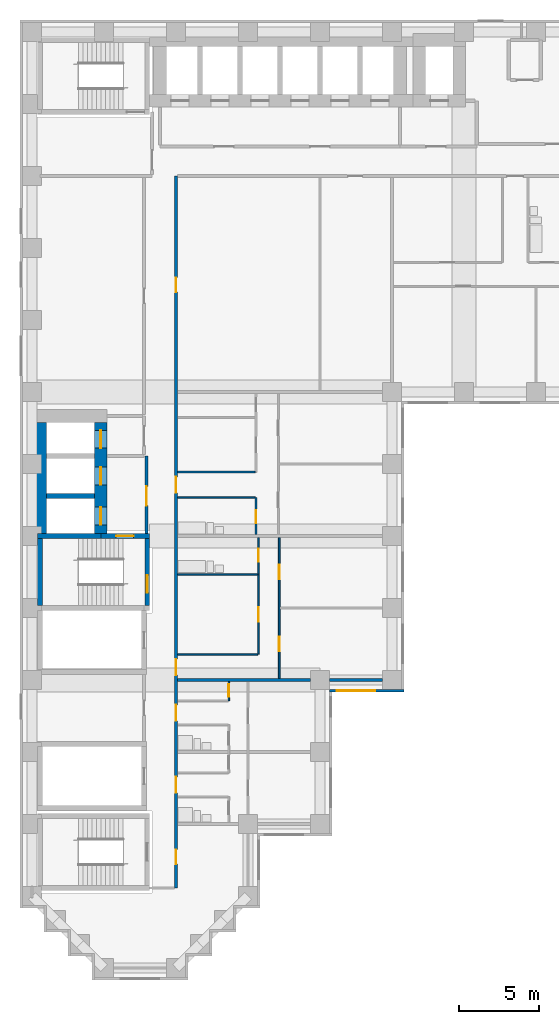
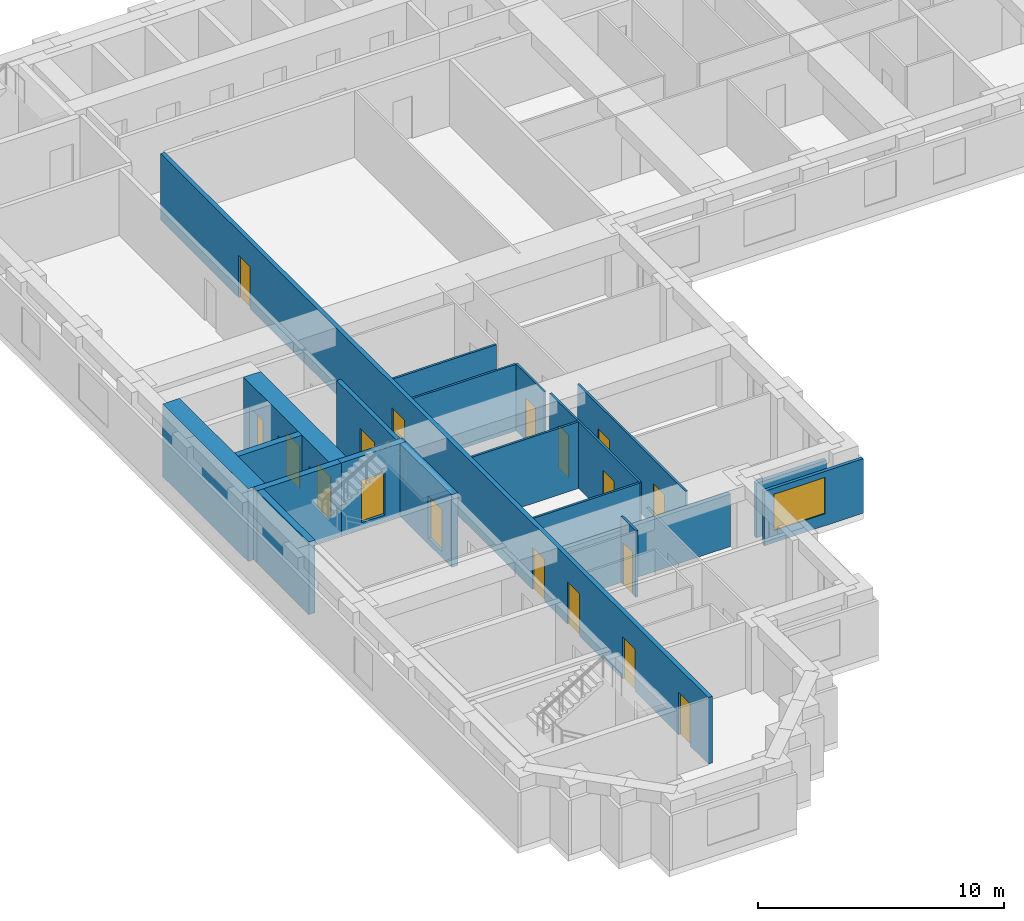
# One storey, part 5 of 14: 20 walls, 18 doors, 1 window, 19 openings.
"""IFC4 building model written with IfcOpenShell, lengths in metres."""

from ifc_helpers import new_model, si_unit, direction, frame, frame_2d, origin, place, context, subcontext, project, spatial, rectangle, extrude, material, layer, layer_set, type_object, element, fill, save


model = new_model("IFC4")

# Units and contexts
model_context = context("Model", 3, precision=1e-05, world=origin(), true_north=direction((0.0, 1.0)))
body_context = subcontext(model_context, "Body", "Model", "MODEL_VIEW")
ifc_project = project(units=[si_unit("LENGTHUNIT", "METRE"), si_unit("AREAUNIT", "SQUARE_METRE"), si_unit("VOLUMEUNIT", "CUBIC_METRE"), si_unit("PLANEANGLEUNIT", "RADIAN"), si_unit("MASSUNIT", "GRAM", prefix="KILO")], contexts=[model_context])

# Site, building, storey
site_placement = place(None, origin())
site = spatial("IfcSite", under=ifc_project, at=site_placement, CompositionType="ELEMENT")
building_placement = place(site_placement, origin())
building = spatial("IfcBuilding", under=site, at=building_placement, Name="Firuza Court", CompositionType="ELEMENT")
storey_placement = place(building_placement, frame((0.0, 0.0, 32.60009765625)))
storey = spatial("IfcBuildingStorey", under=building, at=storey_placement, Name="L06", CompositionType="ELEMENT", Elevation=32.60009765625)

# Walls
ifc_material_1 = material(Name="Moisture-resistant gypsum board partition")
ifc_layer_1 = layer(ifc_material_1, 0.10009765625)
ifc_layer_set_1 = layer_set([ifc_layer_1], Name="Moisture-resistant gypsum board partition")
wall_type_1 = type_object("IfcWallType", Name="Bathroom partition 100", PredefinedType="PLUMBINGWALL", material=ifc_layer_set_1)
wall_1_placement = place(storey_placement, frame((9.10009765625, 24.60009765625, 0.0), z_axis=(0.0, 0.0, 1.0), x_axis=(1.0, 0.0, 0.0)))
element("IfcWall", 1, at=wall_1_placement, inside=storey, type_object=wall_type_1, Name="Bathroom partition 100 L06", PredefinedType="PLUMBINGWALL", context=body_context, shape_type="SweptSolid", body=[
    extrude(rectangle(XDim=5.0, YDim=0.10009765625, at=frame_2d((2.5, 0.0))), origin(), (0.0, 0.0, 1.0), 3.2998046875),
])
wall_2_placement = place(storey_placement, frame((9.10009765625, 29.39990234375, 0.0), z_axis=(0.0, 0.0, 1.0), x_axis=(1.0, 0.0, 0.0)))
element("IfcWall", 2, at=wall_2_placement, inside=storey, type_object=wall_type_1, Name="Bathroom partition 100 L06", PredefinedType="PLUMBINGWALL", context=body_context, shape_type="SweptSolid", body=[
    extrude(rectangle(XDim=4.849853515625, YDim=0.10009765625, at=frame_2d((2.4248046875, 0.0))), origin(), (0.0, 0.0, 1.0), 3.2998046875),
])
ifc_material_2 = material(Name="Concrete C60/75", Category="concrete")
ifc_layer_2 = layer(ifc_material_2, 0.300048828125)
ifc_layer_set_2 = layer_set([ifc_layer_2], Name="Concrete C60/75")
wall_type_2 = type_object("IfcWallType", Name="Core wall 300 C60/75", PredefinedType="SHEAR", material=ifc_layer_set_2)
wall_3_placement = place(storey_placement, frame((0.35009765625, 27.0, -0.300048828125), z_axis=(0.0, 0.0, 1.0), x_axis=(1.0, 0.0, 0.0)))
element("IfcWall", 3, at=wall_3_placement, inside=storey, type_object=wall_type_2, Name="Core wall lift shaft L06", PredefinedType="SHEAR", context=body_context, shape_type="SweptSolid", body=[
    extrude(rectangle(XDim=3.949951171875, YDim=0.300048828125, at=frame_2d((1.97509765625, 0.0))), origin(), (0.0, 0.0, 1.0), 3.599853515625),
])
wall_4_placement = place(storey_placement, frame((0.5, 22.64990234375, -0.300048828125), z_axis=(0.0, 0.0, 1.0), x_axis=(0.0, 1.0, 0.0)))
element("IfcWall", 4, at=wall_4_placement, inside=storey, type_object=wall_type_2, Name="Core wall stair L06", PredefinedType="SHEAR", context=body_context, shape_type="SweptSolid", body=[
    extrude(rectangle(XDim=4.2001953125, YDim=0.300048828125, at=frame_2d((2.10009765625, 0.0))), origin(), (0.0, 0.0, 1.0), 3.599853515625),
])
wall_5_placement = place(storey_placement, frame((0.89990234375, 29.5, -0.300048828125), z_axis=(0.0, 0.0, 1.0), x_axis=(1.0, 0.0, 0.0)))
element("IfcWall", 5, at=wall_5_placement, inside=storey, type_object=wall_type_2, Name="Core wall lift shaft L06", PredefinedType="SHEAR", context=body_context, shape_type="SweptSolid", body=[
    extrude(rectangle(XDim=3.0, YDim=0.300048828125, at=frame_2d((1.5, 0.0))), origin(), (0.0, 0.0, 1.0), 3.599853515625),
])

# Wall, opening, door
wall_6_placement = place(storey_placement, frame((4.300048828125, 27.0, -0.300048828125), z_axis=(0.0, 0.0, 1.0), x_axis=(1.0, 0.0, 0.0)))
wall_6 = element("IfcWall", 6, at=wall_6_placement, inside=storey, type_object=wall_type_2, Name="Core wall stair L06", PredefinedType="SHEAR", context=body_context, shape_type="SweptSolid", body=[
    extrude(rectangle(XDim=3.050048828125, YDim=0.300048828125, at=frame_2d((1.52490234375, 0.0))), origin(), (0.0, 0.0, 1.0), 3.599853515625),
])
opening_1_placement = place(wall_6_placement, frame((0.949951171875, 0.0, 0.300048828125)))
opening_1 = element("IfcOpeningElement", 7, at=opening_1_placement, cuts=wall_6, Name="Opening D06014", PredefinedType="OPENING", context=body_context, shape_type="SweptSolid", body=[
    extrude(rectangle(XDim=1.10009765625, YDim=2.10009765625, at=frame_2d((0.550048828125, 1.050048828125))), frame((0.0, 0.162109375, 0.0), z_axis=(0.0, -1.0, 0.0), x_axis=(1.0, 0.0, 0.0)), (0.0, 0.0, 1.0), 0.323974609375),
])
ifc_material_3 = material(Name="Timber door leaf in hardwood frame", Category="wood")
door_type_1 = type_object("IfcDoorType", Name="Stair door 1100", OperationType="SINGLE_SWING_LEFT", PredefinedType="DOOR", material=ifc_material_3)
door_1_placement = place(opening_1_placement, frame((1.10009765625, 0.0, 0.0), z_axis=(0.0, 0.0, 1.0), x_axis=(-1.0, 0.0, 0.0)))
door_1 = element("IfcDoor", 8, at=door_1_placement, inside=storey, type_object=door_type_1, Name="Fire-fighting lobby door", OperationType="SINGLE_SWING_LEFT", OverallHeight=2.10009765625, OverallWidth=1.10009765625, PredefinedType="DOOR", context=body_context, shape_type="SweptSolid", body=[
    extrude(rectangle(XDim=1.10009765625, YDim=2.10009765625, at=frame_2d((0.550048828125, 1.050048828125))), frame((0.0, 0.02490234375, 0.0), z_axis=(0.0, -1.0, 0.0), x_axis=(1.0, 0.0, 0.0)), (0.0, 0.0, 1.0), 0.050048828125),
])
fill(opening_1, door_1)

wall_7_placement = place(storey_placement, frame((7.199951171875, 22.64990234375, -0.300048828125), z_axis=(0.0, 0.0, 1.0), x_axis=(0.0, 1.0, 0.0)))
wall_7 = element("IfcWall", 9, at=wall_7_placement, inside=storey, type_object=wall_type_2, Name="Core wall stair L06", PredefinedType="SHEAR", context=body_context, shape_type="SweptSolid", body=[
    extrude(rectangle(XDim=4.2001953125, YDim=0.300048828125, at=frame_2d((2.10009765625, 0.0))), origin(), (0.0, 0.0, 1.0), 3.599853515625),
])
opening_2_placement = place(wall_7_placement, frame((0.800048828125, 0.0, 0.300048828125)))
opening_2 = element("IfcOpeningElement", 10, at=opening_2_placement, cuts=wall_7, Name="Opening D06015", PredefinedType="OPENING", context=body_context, shape_type="SweptSolid", body=[
    extrude(rectangle(XDim=1.10009765625, YDim=2.10009765625, at=frame_2d((0.550048828125, 1.050048828125))), frame((0.0, 0.162109375, 0.0), z_axis=(0.0, -1.0, 0.0), x_axis=(1.0, 0.0, 0.0)), (0.0, 0.0, 1.0), 0.323974609375),
])
door_2_placement = place(opening_2_placement, origin())
door_2 = element("IfcDoor", 11, at=door_2_placement, inside=storey, type_object=door_type_1, Name="Stair door S2", OperationType="SINGLE_SWING_LEFT", OverallHeight=2.10009765625, OverallWidth=1.10009765625, PredefinedType="DOOR", context=body_context, shape_type="SweptSolid", body=[
    extrude(rectangle(XDim=1.10009765625, YDim=2.10009765625, at=frame_2d((0.550048828125, 1.050048828125))), frame((0.0, 0.02490234375, 0.0), z_axis=(0.0, -1.0, 0.0), x_axis=(1.0, 0.0, 0.0)), (0.0, 0.0, 1.0), 0.050048828125),
])
fill(opening_2, door_2)

# Wall
ifc_layer_3 = layer(ifc_material_2, 0.800048828125)
ifc_layer_set_3 = layer_set([ifc_layer_3], Name="Concrete C60/75")
wall_type_3 = type_object("IfcWallType", Name="Core wall 800 C60/75", PredefinedType="SHEAR", material=ifc_layer_set_3)
wall_8_placement = place(storey_placement, frame((0.5, 27.14990234375, -0.300048828125), z_axis=(0.0, 0.0, 1.0), x_axis=(0.0, 1.0, 0.0)))
element("IfcWall", 12, at=wall_8_placement, inside=storey, type_object=wall_type_3, Name="Core wall lift shaft L06", PredefinedType="SHEAR", context=body_context, shape_type="SweptSolid", body=[
    extrude(rectangle(XDim=6.9501953125, YDim=0.800048828125, at=frame_2d((3.47509765625, 0.0))), origin(), (0.0, 0.0, 1.0), 3.599853515625),
])

# Wall, openings, doors
wall_9_placement = place(storey_placement, frame((4.300048828125, 27.14990234375, -0.300048828125), z_axis=(0.0, 0.0, 1.0), x_axis=(0.0, 1.0, 0.0)))
wall_9 = element("IfcWall", 13, at=wall_9_placement, inside=storey, type_object=wall_type_3, Name="Core wall lift shaft L06", PredefinedType="SHEAR", context=body_context, shape_type="SweptSolid", body=[
    extrude(rectangle(XDim=6.9501953125, YDim=0.800048828125, at=frame_2d((3.47509765625, 0.0))), origin(), (0.0, 0.0, 1.0), 3.599853515625),
])
opening_3_placement = place(wall_9_placement, frame((3.050048828125, 0.0, 0.300048828125)))
opening_3 = element("IfcOpeningElement", 14, at=opening_3_placement, cuts=wall_9, Name="Opening LD-FL1-06", PredefinedType="OPENING", context=body_context, shape_type="SweptSolid", body=[
    extrude(rectangle(XDim=1.10009765625, YDim=2.10009765625, at=frame_2d((0.550048828125, 1.050048828125))), frame((0.0, 0.412109375, 0.0), z_axis=(0.0, -1.0, 0.0), x_axis=(1.0, 0.0, 0.0)), (0.0, 0.0, 1.0), 0.823974609375),
])
opening_4_placement = place(wall_9_placement, frame((0.550048828125, 0.0, 0.300048828125)))
opening_4 = element("IfcOpeningElement", 15, at=opening_4_placement, cuts=wall_9, Name="Opening LD-FL2-06", PredefinedType="OPENING", context=body_context, shape_type="SweptSolid", body=[
    extrude(rectangle(XDim=1.10009765625, YDim=2.10009765625, at=frame_2d((0.550048828125, 1.050048828125))), frame((0.0, 0.412109375, 0.0), z_axis=(0.0, -1.0, 0.0), x_axis=(1.0, 0.0, 0.0)), (0.0, 0.0, 1.0), 0.823974609375),
])
opening_5_placement = place(wall_9_placement, frame((5.35009765625, 0.0, 0.300048828125)))
opening_5 = element("IfcOpeningElement", 16, at=opening_5_placement, cuts=wall_9, Name="Opening LD-SL1-06", PredefinedType="OPENING", context=body_context, shape_type="SweptSolid", body=[
    extrude(rectangle(XDim=1.10009765625, YDim=2.10009765625, at=frame_2d((0.550048828125, 1.050048828125))), frame((0.0, 0.412109375, 0.0), z_axis=(0.0, -1.0, 0.0), x_axis=(1.0, 0.0, 0.0)), (0.0, 0.0, 1.0), 0.823974609375),
])
ifc_material_4 = material(Name="Stainless steel 1.4301 door leaf", Category="steel")
door_type_2 = type_object("IfcDoorType", Name="Lift landing door 1100", OperationType="SLIDING_TO_LEFT", PredefinedType="DOOR", material=ifc_material_4)
door_3_placement = place(opening_3_placement, origin())
door_3 = element("IfcDoor", 17, at=door_3_placement, inside=storey, type_object=door_type_2, Name="Landing door FL1", OperationType="SLIDING_TO_LEFT", OverallHeight=2.10009765625, OverallWidth=1.10009765625, PredefinedType="DOOR", context=body_context, shape_type="SweptSolid", body=[
    extrude(rectangle(XDim=1.10009765625, YDim=2.10009765625, at=frame_2d((0.550048828125, 1.050048828125))), frame((0.0, 0.02490234375, 0.0), z_axis=(0.0, -1.0, 0.0), x_axis=(1.0, 0.0, 0.0)), (0.0, 0.0, 1.0), 0.050048828125),
])
fill(opening_3, door_3)
door_4_placement = place(opening_4_placement, origin())
door_4 = element("IfcDoor", 18, at=door_4_placement, inside=storey, type_object=door_type_2, Name="Landing door FL2", OperationType="SLIDING_TO_LEFT", OverallHeight=2.10009765625, OverallWidth=1.10009765625, PredefinedType="DOOR", context=body_context, shape_type="SweptSolid", body=[
    extrude(rectangle(XDim=1.10009765625, YDim=2.10009765625, at=frame_2d((0.550048828125, 1.050048828125))), frame((0.0, 0.02490234375, 0.0), z_axis=(0.0, -1.0, 0.0), x_axis=(1.0, 0.0, 0.0)), (0.0, 0.0, 1.0), 0.050048828125),
])
fill(opening_4, door_4)
door_5_placement = place(opening_5_placement, origin())
door_5 = element("IfcDoor", 19, at=door_5_placement, inside=storey, type_object=door_type_2, Name="Landing door SL1", OperationType="SLIDING_TO_LEFT", OverallHeight=2.10009765625, OverallWidth=1.10009765625, PredefinedType="DOOR", context=body_context, shape_type="SweptSolid", body=[
    extrude(rectangle(XDim=1.10009765625, YDim=2.10009765625, at=frame_2d((0.550048828125, 1.050048828125))), frame((0.0, 0.02490234375, 0.0), z_axis=(0.0, -1.0, 0.0), x_axis=(1.0, 0.0, 0.0)), (0.0, 0.0, 1.0), 0.050048828125),
])
fill(opening_5, door_5)

ifc_material_5 = material(Name="Blockwork, plastered both sides", Category="masonry")
ifc_layer_4 = layer(ifc_material_5, 0.199951171875)
ifc_layer_set_4 = layer_set([ifc_layer_4], Name="Blockwork, plastered both sides")
wall_type_4 = type_object("IfcWallType", Name="Corridor wall 200", PredefinedType="PARTITIONING", material=ifc_layer_set_4)
wall_10_placement = place(storey_placement, frame((9.0, 5.0, 0.0), z_axis=(0.0, 0.0, 1.0), x_axis=(0.0, 1.0, 0.0)))
wall_10 = element("IfcWall", 20, at=wall_10_placement, inside=storey, type_object=wall_type_4, Name="Corridor wall 200 L06", PredefinedType="PARTITIONING", context=body_context, shape_type="SweptSolid", body=[
    extrude(rectangle(XDim=44.5, YDim=0.199951171875, at=frame_2d((22.25, 0.0))), origin(), (0.0, 0.0, 1.0), 3.2998046875),
])
opening_6_placement = place(wall_10_placement, frame((24.699951171875, 0.0, 0.0)))
opening_6 = element("IfcOpeningElement", 21, at=opening_6_placement, cuts=wall_10, Name="Opening D06019", PredefinedType="OPENING", context=body_context, shape_type="SweptSolid", body=[
    extrude(rectangle(XDim=1.0, YDim=2.10009765625, at=frame_2d((0.5, 1.050048828125))), frame((0.0, 0.11181640625, 0.0), z_axis=(0.0, -1.0, 0.0), x_axis=(1.0, 0.0, 0.0)), (0.0, 0.0, 1.0), 0.223876953125),
])
opening_7_placement = place(wall_10_placement, frame((13.300048828125, 0.0, 0.0)))
opening_7 = element("IfcOpeningElement", 22, at=opening_7_placement, cuts=wall_10, Name="Opening D06020", PredefinedType="OPENING", context=body_context, shape_type="SweptSolid", body=[
    extrude(rectangle(XDim=1.0, YDim=2.10009765625, at=frame_2d((0.5, 1.050048828125))), frame((0.0, 0.11181640625, 0.0), z_axis=(0.0, -1.0, 0.0), x_axis=(1.0, 0.0, 0.0)), (0.0, 0.0, 1.0), 0.223876953125),
])
opening_8_placement = place(wall_10_placement, frame((10.449951171875, 0.0, 0.0)))
opening_8 = element("IfcOpeningElement", 23, at=opening_8_placement, cuts=wall_10, Name="Opening D06021", PredefinedType="OPENING", context=body_context, shape_type="SweptSolid", body=[
    extrude(rectangle(XDim=1.0, YDim=2.10009765625, at=frame_2d((0.5, 1.050048828125))), frame((0.0, 0.11181640625, 0.0), z_axis=(0.0, -1.0, 0.0), x_axis=(1.0, 0.0, 0.0)), (0.0, 0.0, 1.0), 0.223876953125),
])
opening_9_placement = place(wall_10_placement, frame((5.949951171875, 0.0, 0.0)))
opening_9 = element("IfcOpeningElement", 24, at=opening_9_placement, cuts=wall_10, Name="Opening D06022", PredefinedType="OPENING", context=body_context, shape_type="SweptSolid", body=[
    extrude(rectangle(XDim=1.0, YDim=2.10009765625, at=frame_2d((0.5, 1.050048828125))), frame((0.0, 0.11181640625, 0.0), z_axis=(0.0, -1.0, 0.0), x_axis=(1.0, 0.0, 0.0)), (0.0, 0.0, 1.0), 0.223876953125),
])
opening_10_placement = place(wall_10_placement, frame((37.25, 0.0, 0.0)))
opening_10 = element("IfcOpeningElement", 25, at=opening_10_placement, cuts=wall_10, Name="Opening D06023", PredefinedType="OPENING", context=body_context, shape_type="SweptSolid", body=[
    extrude(rectangle(XDim=0.89990234375, YDim=2.10009765625, at=frame_2d((0.449951171875, 1.050048828125))), frame((0.0, 0.11181640625, 0.0), z_axis=(0.0, -1.0, 0.0), x_axis=(1.0, 0.0, 0.0)), (0.0, 0.0, 1.0), 0.223876953125),
])
opening_11_placement = place(wall_10_placement, frame((1.5, 0.0, 0.0)))
opening_11 = element("IfcOpeningElement", 26, at=opening_11_placement, cuts=wall_10, Name="Opening D06024", PredefinedType="OPENING", context=body_context, shape_type="SweptSolid", body=[
    extrude(rectangle(XDim=0.89990234375, YDim=2.10009765625, at=frame_2d((0.449951171875, 1.050048828125))), frame((0.0, 0.11181640625, 0.0), z_axis=(0.0, -1.0, 0.0), x_axis=(1.0, 0.0, 0.0)), (0.0, 0.0, 1.0), 0.223876953125),
])
ifc_material_6 = material(Name="Timber door leaf in hardwood frame", Category="wood")
door_type_3 = type_object("IfcDoorType", Name="Flat entrance door 1000", OperationType="SINGLE_SWING_LEFT", PredefinedType="DOOR", material=ifc_material_6)
door_6_placement = place(opening_6_placement, origin())
door_6 = element("IfcDoor", 27, at=door_6_placement, inside=storey, type_object=door_type_3, Name="Flat entrance door", OperationType="SINGLE_SWING_LEFT", OverallHeight=2.10009765625, OverallWidth=1.0, PredefinedType="DOOR", context=body_context, shape_type="SweptSolid", body=[
    extrude(rectangle(XDim=1.0, YDim=2.10009765625, at=frame_2d((0.5, 1.050048828125))), frame((0.0, 0.02490234375, 0.0), z_axis=(0.0, -1.0, 0.0), x_axis=(1.0, 0.0, 0.0)), (0.0, 0.0, 1.0), 0.050048828125),
])
fill(opening_6, door_6)
door_7_placement = place(opening_7_placement, origin())
door_7 = element("IfcDoor", 28, at=door_7_placement, inside=storey, type_object=door_type_3, Name="Flat entrance door", OperationType="SINGLE_SWING_LEFT", OverallHeight=2.10009765625, OverallWidth=1.0, PredefinedType="DOOR", context=body_context, shape_type="SweptSolid", body=[
    extrude(rectangle(XDim=1.0, YDim=2.10009765625, at=frame_2d((0.5, 1.050048828125))), frame((0.0, 0.02490234375, 0.0), z_axis=(0.0, -1.0, 0.0), x_axis=(1.0, 0.0, 0.0)), (0.0, 0.0, 1.0), 0.050048828125),
])
fill(opening_7, door_7)
door_8_placement = place(opening_8_placement, origin())
door_8 = element("IfcDoor", 29, at=door_8_placement, inside=storey, type_object=door_type_3, Name="Flat entrance door", OperationType="SINGLE_SWING_LEFT", OverallHeight=2.10009765625, OverallWidth=1.0, PredefinedType="DOOR", context=body_context, shape_type="SweptSolid", body=[
    extrude(rectangle(XDim=1.0, YDim=2.10009765625, at=frame_2d((0.5, 1.050048828125))), frame((0.0, 0.02490234375, 0.0), z_axis=(0.0, -1.0, 0.0), x_axis=(1.0, 0.0, 0.0)), (0.0, 0.0, 1.0), 0.050048828125),
])
fill(opening_8, door_8)
door_9_placement = place(opening_9_placement, origin())
door_9 = element("IfcDoor", 30, at=door_9_placement, inside=storey, type_object=door_type_3, Name="Flat entrance door", OperationType="SINGLE_SWING_LEFT", OverallHeight=2.10009765625, OverallWidth=1.0, PredefinedType="DOOR", context=body_context, shape_type="SweptSolid", body=[
    extrude(rectangle(XDim=1.0, YDim=2.10009765625, at=frame_2d((0.5, 1.050048828125))), frame((0.0, 0.02490234375, 0.0), z_axis=(0.0, -1.0, 0.0), x_axis=(1.0, 0.0, 0.0)), (0.0, 0.0, 1.0), 0.050048828125),
])
fill(opening_9, door_9)
ifc_material_7 = material(Name="Timber door leaf in hardwood frame", Category="wood")
door_type_4 = type_object("IfcDoorType", Name="Room door 900 EI 30", OperationType="SINGLE_SWING_LEFT", PredefinedType="DOOR", material=ifc_material_7)
door_10_placement = place(opening_10_placement, origin())
door_10 = element("IfcDoor", 31, at=door_10_placement, inside=storey, type_object=door_type_4, Name="Residents' lounge door", OperationType="SINGLE_SWING_LEFT", OverallHeight=2.10009765625, OverallWidth=0.89990234375, PredefinedType="DOOR", context=body_context, shape_type="SweptSolid", body=[
    extrude(rectangle(XDim=0.89990234375, YDim=2.10009765625, at=frame_2d((0.449951171875, 1.050048828125))), frame((0.0, 0.02490234375, 0.0), z_axis=(0.0, -1.0, 0.0), x_axis=(1.0, 0.0, 0.0)), (0.0, 0.0, 1.0), 0.050048828125),
])
fill(opening_10, door_10)
door_11_placement = place(opening_11_placement, frame((0.89990234375, 0.0, 0.0), z_axis=(0.0, 0.0, 1.0), x_axis=(-1.0, 0.0, 0.0)))
door_11 = element("IfcDoor", 32, at=door_11_placement, inside=storey, type_object=door_type_4, Name="Music room door", OperationType="SINGLE_SWING_LEFT", OverallHeight=2.10009765625, OverallWidth=0.89990234375, PredefinedType="DOOR", context=body_context, shape_type="SweptSolid", body=[
    extrude(rectangle(XDim=0.89990234375, YDim=2.10009765625, at=frame_2d((0.449951171875, 1.050048828125))), frame((0.0, 0.02490234375, 0.0), z_axis=(0.0, -1.0, 0.0), x_axis=(1.0, 0.0, 0.0)), (0.0, 0.0, 1.0), 0.050048828125),
])
fill(opening_11, door_11)

# Wall, opening, door
ifc_material_8 = material(Name="Timber stud partition, plasterboard both sides", Category="wood")
ifc_layer_5 = layer(ifc_material_8, 0.10009765625)
ifc_layer_set_5 = layer_set([ifc_layer_5], Name="Timber stud partition, plasterboard both sides")
wall_type_5 = type_object("IfcWallType", Name="Partition wall 100", PredefinedType="PARTITIONING", material=ifc_layer_set_5)
wall_11_placement = place(storey_placement, frame((12.300048828125, 16.699951171875, 0.0), z_axis=(0.0, 0.0, 1.0), x_axis=(0.0, 1.0, 0.0)))
wall_11 = element("IfcWall", 33, at=wall_11_placement, inside=storey, type_object=wall_type_5, Name="Partition wall 100 L06", PredefinedType="PARTITIONING", context=body_context, shape_type="SweptSolid", body=[
    extrude(rectangle(XDim=1.199951171875, YDim=0.10009765625, at=frame_2d((0.60009765625, 0.0))), origin(), (0.0, 0.0, 1.0), 3.2998046875),
])
opening_12_placement = place(wall_11_placement, frame((0.25, 0.0, 0.0)))
opening_12 = element("IfcOpeningElement", 34, at=opening_12_placement, cuts=wall_11, Name="Opening D06031", PredefinedType="OPENING", context=body_context, shape_type="SweptSolid", body=[
    extrude(rectangle(XDim=0.800048828125, YDim=2.10009765625, at=frame_2d((0.39990234375, 1.050048828125))), frame((0.0, 0.06201171875, 0.0), z_axis=(0.0, -1.0, 0.0), x_axis=(1.0, 0.0, 0.0)), (0.0, 0.0, 1.0), 0.1240234375),
])
ifc_material_9 = material(Name="Timber door leaf in hardwood frame", Category="wood")
door_type_5 = type_object("IfcDoorType", Name="Room door 800", OperationType="SINGLE_SWING_LEFT", PredefinedType="DOOR", material=ifc_material_9)
door_12_placement = place(opening_12_placement, origin())
door_12 = element("IfcDoor", 35, at=door_12_placement, inside=storey, type_object=door_type_5, Name="Kitchen door", OperationType="SINGLE_SWING_LEFT", OverallHeight=2.10009765625, OverallWidth=0.800048828125, PredefinedType="DOOR", context=body_context, shape_type="SweptSolid", body=[
    extrude(rectangle(XDim=0.800048828125, YDim=2.10009765625, at=frame_2d((0.39990234375, 1.050048828125))), frame((0.0, 0.02490234375, 0.0), z_axis=(0.0, -1.0, 0.0), x_axis=(1.0, 0.0, 0.0)), (0.0, 0.0, 1.0), 0.050048828125),
])
fill(opening_12, door_12)

# Wall, openings, doors
wall_12_placement = place(storey_placement, frame((15.449951171875, 18.10009765625, 0.0), z_axis=(0.0, 0.0, 1.0), x_axis=(0.0, 1.0, 0.0)))
wall_12 = element("IfcWall", 36, at=wall_12_placement, inside=storey, type_object=wall_type_5, Name="Partition wall 100 L06", PredefinedType="PARTITIONING", context=body_context, shape_type="SweptSolid", body=[
    extrude(rectangle(XDim=8.7998046875, YDim=0.10009765625, at=frame_2d((4.39990234375, 0.0))), origin(), (0.0, 0.0, 1.0), 3.2998046875),
])
opening_13_placement = place(wall_12_placement, frame((1.699951171875, 0.0, 0.0)))
opening_13 = element("IfcOpeningElement", 37, at=opening_13_placement, cuts=wall_12, Name="Opening D06032", PredefinedType="OPENING", context=body_context, shape_type="SweptSolid", body=[
    extrude(rectangle(XDim=0.89990234375, YDim=2.10009765625, at=frame_2d((0.449951171875, 1.050048828125))), frame((0.0, 0.06201171875, 0.0), z_axis=(0.0, -1.0, 0.0), x_axis=(1.0, 0.0, 0.0)), (0.0, 0.0, 1.0), 0.1240234375),
])
opening_14_placement = place(wall_12_placement, frame((6.199951171875, 0.0, 0.0)))
opening_14 = element("IfcOpeningElement", 38, at=opening_14_placement, cuts=wall_12, Name="Opening D06033", PredefinedType="OPENING", context=body_context, shape_type="SweptSolid", body=[
    extrude(rectangle(XDim=0.89990234375, YDim=2.10009765625, at=frame_2d((0.449951171875, 1.050048828125))), frame((0.0, 0.06201171875, 0.0), z_axis=(0.0, -1.0, 0.0), x_axis=(1.0, 0.0, 0.0)), (0.0, 0.0, 1.0), 0.1240234375),
])
ifc_material_10 = material(Name="Timber door leaf in hardwood frame", Category="wood")
door_type_6 = type_object("IfcDoorType", Name="Room door 900", OperationType="SINGLE_SWING_LEFT", PredefinedType="DOOR", material=ifc_material_10)
door_13_placement = place(opening_13_placement, frame((0.89990234375, 0.0, 0.0), z_axis=(0.0, 0.0, 1.0), x_axis=(-1.0, 0.0, 0.0)))
door_13 = element("IfcDoor", 39, at=door_13_placement, inside=storey, type_object=door_type_6, Name="Bedroom door", OperationType="SINGLE_SWING_RIGHT", OverallHeight=2.10009765625, OverallWidth=0.89990234375, PredefinedType="DOOR", context=body_context, shape_type="SweptSolid", body=[
    extrude(rectangle(XDim=0.89990234375, YDim=2.10009765625, at=frame_2d((0.449951171875, 1.050048828125))), frame((0.0, 0.02490234375, 0.0), z_axis=(0.0, -1.0, 0.0), x_axis=(1.0, 0.0, 0.0)), (0.0, 0.0, 1.0), 0.050048828125),
])
fill(opening_13, door_13)
door_14_placement = place(opening_14_placement, frame((0.89990234375, 0.0, 0.0), z_axis=(0.0, 0.0, 1.0), x_axis=(-1.0, 0.0, 0.0)))
door_14 = element("IfcDoor", 40, at=door_14_placement, inside=storey, type_object=door_type_6, Name="Living room door", OperationType="SINGLE_SWING_RIGHT", OverallHeight=2.10009765625, OverallWidth=0.89990234375, PredefinedType="DOOR", context=body_context, shape_type="SweptSolid", body=[
    extrude(rectangle(XDim=0.89990234375, YDim=2.10009765625, at=frame_2d((0.449951171875, 1.050048828125))), frame((0.0, 0.02490234375, 0.0), z_axis=(0.0, -1.0, 0.0), x_axis=(1.0, 0.0, 0.0)), (0.0, 0.0, 1.0), 0.050048828125),
])
fill(opening_14, door_14)

# Wall
wall_13_placement = place(storey_placement, frame((9.10009765625, 19.60009765625, 0.0), z_axis=(0.0, 0.0, 1.0), x_axis=(1.0, 0.0, 0.0)))
element("IfcWall", 41, at=wall_13_placement, inside=storey, type_object=wall_type_5, Name="Partition wall 100 L06", PredefinedType="PARTITIONING", context=body_context, shape_type="SweptSolid", body=[
    extrude(rectangle(XDim=5.0, YDim=0.10009765625, at=frame_2d((2.5, 0.0))), origin(), (0.0, 0.0, 1.0), 3.2998046875),
])

# Wall, openings, doors
wall_14_placement = place(storey_placement, frame((14.14990234375, 19.60009765625, 0.0), z_axis=(0.0, 0.0, 1.0), x_axis=(0.0, 1.0, 0.0)))
wall_14 = element("IfcWall", 42, at=wall_14_placement, inside=storey, type_object=wall_type_5, Name="Partition wall 100 L06", PredefinedType="PARTITIONING", context=body_context, shape_type="SweptSolid", body=[
    extrude(rectangle(XDim=7.2998046875, YDim=0.10009765625, at=frame_2d((3.64990234375, 0.0))), origin(), (0.0, 0.0, 1.0), 3.2998046875),
])
opening_15_placement = place(wall_14_placement, frame((5.800048828125, 0.0, 0.0)))
opening_15 = element("IfcOpeningElement", 43, at=opening_15_placement, cuts=wall_14, Name="Opening D06034", PredefinedType="OPENING", context=body_context, shape_type="SweptSolid", body=[
    extrude(rectangle(XDim=0.800048828125, YDim=2.10009765625, at=frame_2d((0.39990234375, 1.050048828125))), frame((0.0, 0.06201171875, 0.0), z_axis=(0.0, -1.0, 0.0), x_axis=(1.0, 0.0, 0.0)), (0.0, 0.0, 1.0), 0.1240234375),
])
opening_16_placement = place(wall_14_placement, frame((2.050048828125, 0.0, 0.0)))
opening_16 = element("IfcOpeningElement", 44, at=opening_16_placement, cuts=wall_14, Name="Opening D06035", PredefinedType="OPENING", context=body_context, shape_type="SweptSolid", body=[
    extrude(rectangle(XDim=0.89990234375, YDim=2.10009765625, at=frame_2d((0.449951171875, 1.050048828125))), frame((0.0, 0.06201171875, 0.0), z_axis=(0.0, -1.0, 0.0), x_axis=(1.0, 0.0, 0.0)), (0.0, 0.0, 1.0), 0.1240234375),
])
ifc_material_11 = material(Name="Timber door leaf in hardwood frame", Category="wood")
door_type_7 = type_object("IfcDoorType", Name="Bathroom door 800", OperationType="SINGLE_SWING_LEFT", PredefinedType="DOOR", material=ifc_material_11)
door_15_placement = place(opening_15_placement, origin())
door_15 = element("IfcDoor", 45, at=door_15_placement, inside=storey, type_object=door_type_7, Name="Bathroom door", OperationType="SINGLE_SWING_LEFT", OverallHeight=2.10009765625, OverallWidth=0.800048828125, PredefinedType="DOOR", context=body_context, shape_type="SweptSolid", body=[
    extrude(rectangle(XDim=0.800048828125, YDim=2.10009765625, at=frame_2d((0.39990234375, 1.050048828125))), frame((0.0, 0.02490234375, 0.0), z_axis=(0.0, -1.0, 0.0), x_axis=(1.0, 0.0, 0.0)), (0.0, 0.0, 1.0), 0.050048828125),
])
fill(opening_15, door_15)
door_16_placement = place(opening_16_placement, origin())
door_16 = element("IfcDoor", 46, at=door_16_placement, inside=storey, type_object=door_type_6, Name="Kitchen door", OperationType="SINGLE_SWING_LEFT", OverallHeight=2.10009765625, OverallWidth=0.89990234375, PredefinedType="DOOR", context=body_context, shape_type="SweptSolid", body=[
    extrude(rectangle(XDim=0.89990234375, YDim=2.10009765625, at=frame_2d((0.449951171875, 1.050048828125))), frame((0.0, 0.02490234375, 0.0), z_axis=(0.0, -1.0, 0.0), x_axis=(1.0, 0.0, 0.0)), (0.0, 0.0, 1.0), 0.050048828125),
])
fill(opening_16, door_16)

# Wall, opening, door
wall_15_placement = place(storey_placement, frame((14.0, 27.10009765625, 0.0), z_axis=(0.0, 0.0, 1.0), x_axis=(0.0, 1.0, 0.0)))
wall_15 = element("IfcWall", 47, at=wall_15_placement, inside=storey, type_object=wall_type_5, Name="Partition wall 100 L06", PredefinedType="PARTITIONING", context=body_context, shape_type="SweptSolid", body=[
    extrude(rectangle(XDim=2.2998046875, YDim=0.10009765625, at=frame_2d((1.14990234375, 0.0))), origin(), (0.0, 0.0, 1.0), 3.2998046875),
])
opening_17_placement = place(wall_15_placement, frame((0.699951171875, 0.0, 0.0)))
opening_17 = element("IfcOpeningElement", 48, at=opening_17_placement, cuts=wall_15, Name="Opening D06036", PredefinedType="OPENING", context=body_context, shape_type="SweptSolid", body=[
    extrude(rectangle(XDim=0.800048828125, YDim=2.10009765625, at=frame_2d((0.39990234375, 1.050048828125))), frame((0.0, 0.06201171875, 0.0), z_axis=(0.0, -1.0, 0.0), x_axis=(1.0, 0.0, 0.0)), (0.0, 0.0, 1.0), 0.1240234375),
])
door_17_placement = place(opening_17_placement, origin())
door_17 = element("IfcDoor", 49, at=door_17_placement, inside=storey, type_object=door_type_7, Name="Bathroom door", OperationType="SINGLE_SWING_LEFT", OverallHeight=2.10009765625, OverallWidth=0.800048828125, PredefinedType="DOOR", context=body_context, shape_type="SweptSolid", body=[
    extrude(rectangle(XDim=0.800048828125, YDim=2.10009765625, at=frame_2d((0.39990234375, 1.050048828125))), frame((0.0, 0.02490234375, 0.0), z_axis=(0.0, -1.0, 0.0), x_axis=(1.0, 0.0, 0.0)), (0.0, 0.0, 1.0), 0.050048828125),
])
fill(opening_17, door_17)

# Walls
wall_16_placement = place(storey_placement, frame((9.10009765625, 31.0, 0.0), z_axis=(0.0, 0.0, 1.0), x_axis=(1.0, 0.0, 0.0)))
element("IfcWall", 50, at=wall_16_placement, inside=storey, type_object=wall_type_5, Name="Partition wall 100 L06", PredefinedType="PARTITIONING", context=body_context, shape_type="SweptSolid", body=[
    extrude(rectangle(XDim=4.849853515625, YDim=0.10009765625, at=frame_2d((2.4248046875, 0.0))), origin(), (0.0, 0.0, 1.0), 3.2998046875),
])
ifc_layer_6 = layer(ifc_material_5, 0.199951171875)
ifc_layer_set_6 = layer_set([ifc_layer_6], Name="Blockwork, plastered both sides")
wall_type_6 = type_object("IfcWallType", Name="Party wall 200", PredefinedType="PARTITIONING", material=ifc_layer_set_6)
wall_17_placement = place(storey_placement, frame((9.10009765625, 18.0, 0.0), z_axis=(0.0, 0.0, 1.0), x_axis=(1.0, 0.0, 0.0)))
element("IfcWall", 51, at=wall_17_placement, inside=storey, type_object=wall_type_6, Name="Party wall 200 L06", PredefinedType="PARTITIONING", context=body_context, shape_type="SweptSolid", body=[
    extrude(rectangle(XDim=8.2998046875, YDim=0.199951171875, at=frame_2d((4.14990234375, 0.0))), origin(), (0.0, 0.0, 1.0), 2.599853515625),
])
wall_18_placement = place(storey_placement, frame((18.60009765625, 18.0, 0.0), z_axis=(0.0, 0.0, 1.0), x_axis=(1.0, 0.0, 0.0)))
element("IfcWall", 52, at=wall_18_placement, inside=storey, type_object=wall_type_6, Name="Party wall 200 L06", PredefinedType="PARTITIONING", context=body_context, shape_type="SweptSolid", body=[
    extrude(rectangle(XDim=3.2998046875, YDim=0.199951171875, at=frame_2d((1.64990234375, 0.0))), origin(), (0.0, 0.0, 1.0), 2.699951171875),
])

# Wall, opening, window
ifc_material_12 = material(Name="Ceramic tile", Category="ceramic")
ifc_layer_7 = layer(ifc_material_12, 0.02001953125)
ifc_material_13 = material(Name="Mineral wool insulation", Category="insulation")
ifc_layer_8 = layer(ifc_material_13, 0.050048828125)
ifc_material_14 = material(Name="Concrete C40/50 precast", Category="concrete")
ifc_layer_9 = layer(ifc_material_14, 0.080078125)
ifc_layer_set_7 = layer_set([ifc_layer_7, ifc_layer_8, ifc_layer_9], Name="Concrete C40/50 precast")
wall_type_7 = type_object("IfcWallType", Name="Precast cladding wall with turquoise TILE PANEL face 150", PredefinedType="STANDARD", material=ifc_layer_set_7)
wall_19_placement = place(storey_placement, frame((18.60009765625, 17.324951171875, 0.0), z_axis=(0.0, 0.0, 1.0), x_axis=(1.0, 0.0, 0.0)))
wall_19 = element("IfcWall", 53, at=wall_19_placement, inside=storey, type_object=wall_type_7, Name="Facade wall L06 S", PredefinedType="STANDARD", context=body_context, shape_type="SweptSolid", body=[
    extrude(rectangle(XDim=4.64990234375, YDim=0.14990234375, at=frame_2d((2.324951171875, 0.0))), origin(), (0.0, 0.0, 1.0), 2.699951171875),
])
opening_18_placement = place(wall_19_placement, frame((0.449951171875, 0.0, 0.60009765625)))
opening_18 = element("IfcOpeningElement", 54, at=opening_18_placement, cuts=wall_19, Name="Opening W1", PredefinedType="OPENING", context=body_context, shape_type="SweptSolid", body=[
    extrude(rectangle(XDim=2.39990234375, YDim=1.800048828125, at=frame_2d((1.199951171875, 0.89990234375))), frame((0.0, 0.0869140625, 0.0), z_axis=(0.0, -1.0, 0.0), x_axis=(1.0, 0.0, 0.0)), (0.0, 0.0, 1.0), 0.173828125),
])
ifc_material_15 = material(Name="Aluminium frame, triple clear glazing", Category="aluminium")
window_type = type_object("IfcWindowType", Name="Window W1 2400 x 1800", PartitioningType="SINGLE_PANEL", PredefinedType="WINDOW", material=ifc_material_15)
window_placement = place(opening_18_placement, origin())
window = element("IfcWindow", 55, at=window_placement, inside=storey, type_object=window_type, Name="Window L06", OverallHeight=1.800048828125, OverallWidth=2.39990234375, PartitioningType="SINGLE_PANEL", PredefinedType="WINDOW", context=body_context, shape_type="SweptSolid", body=[
    extrude(rectangle(XDim=2.39990234375, YDim=1.800048828125, at=frame_2d((1.199951171875, 0.89990234375))), frame((0.0, 0.030029296875, 0.0), z_axis=(0.0, -1.0, 0.0), x_axis=(1.0, 0.0, 0.0)), (0.0, 0.0, 1.0), 0.06005859375),
])
fill(opening_18, window)

# Wall, opening, door
ifc_material_16 = material(Name="Blockwork, fire-rated", Category="masonry")
ifc_layer_10 = layer(ifc_material_16, 0.199951171875)
ifc_layer_set_8 = layer_set([ifc_layer_10], Name="Blockwork, fire-rated")
wall_type_8 = type_object("IfcWallType", Name="Shaft wall 200", PredefinedType="PARTITIONING", material=ifc_layer_set_8)
wall_20_placement = place(storey_placement, frame((7.14990234375, 27.169921875, 0.0), z_axis=(0.0, 0.0, 1.0), x_axis=(0.0, 1.0, 0.0)))
wall_20 = element("IfcWall", 56, at=wall_20_placement, inside=storey, type_object=wall_type_8, Name="Shaft wall 200 L06", PredefinedType="PARTITIONING", context=body_context, shape_type="SweptSolid", body=[
    extrude(rectangle(XDim=4.830078125, YDim=0.199951171875, at=frame_2d((2.4150390625, 0.0))), origin(), (0.0, 0.0, 1.0), 3.2998046875),
])
opening_19_placement = place(wall_20_placement, frame((1.72998046875, 0.0, 0.0)))
opening_19 = element("IfcOpeningElement", 57, at=opening_19_placement, cuts=wall_20, Name="Opening D06002", PredefinedType="OPENING", context=body_context, shape_type="SweptSolid", body=[
    extrude(rectangle(XDim=1.199951171875, YDim=2.10009765625, at=frame_2d((0.60009765625, 1.050048828125))), frame((0.0, 0.11181640625, 0.0), z_axis=(0.0, -1.0, 0.0), x_axis=(1.0, 0.0, 0.0)), (0.0, 0.0, 1.0), 0.223876953125),
])
ifc_material_17 = material(Name="Timber door leaf in hardwood frame", Category="wood")
door_type_8 = type_object("IfcDoorType", Name="Lobby door 1200", OperationType="SINGLE_SWING_LEFT", PredefinedType="DOOR", material=ifc_material_17)
door_18_placement = place(opening_19_placement, origin())
door_18 = element("IfcDoor", 58, at=door_18_placement, inside=storey, type_object=door_type_8, Name="Fire-fighting lobby door", OperationType="SINGLE_SWING_LEFT", OverallHeight=2.10009765625, OverallWidth=1.199951171875, PredefinedType="DOOR", context=body_context, shape_type="SweptSolid", body=[
    extrude(rectangle(XDim=1.199951171875, YDim=2.10009765625, at=frame_2d((0.60009765625, 1.050048828125))), frame((0.0, 0.02490234375, 0.0), z_axis=(0.0, -1.0, 0.0), x_axis=(1.0, 0.0, 0.0)), (0.0, 0.0, 1.0), 0.050048828125),
])
fill(opening_19, door_18)

save(model, "model.ifc")
